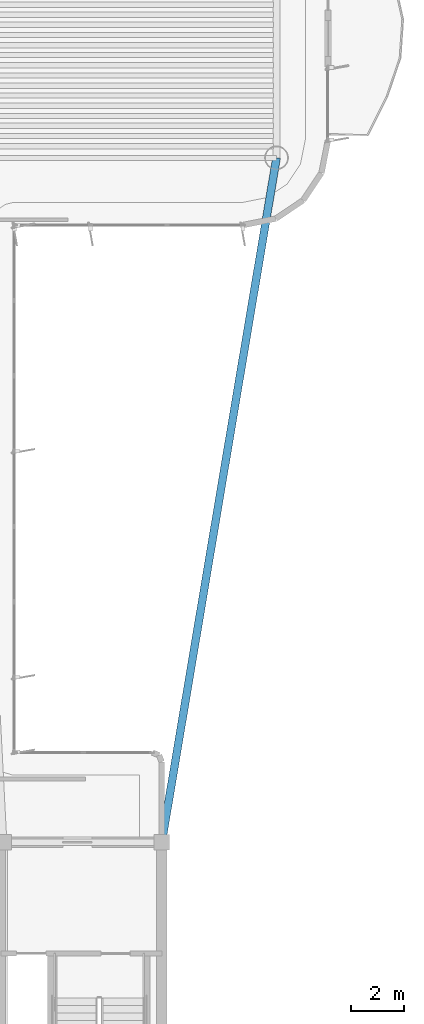
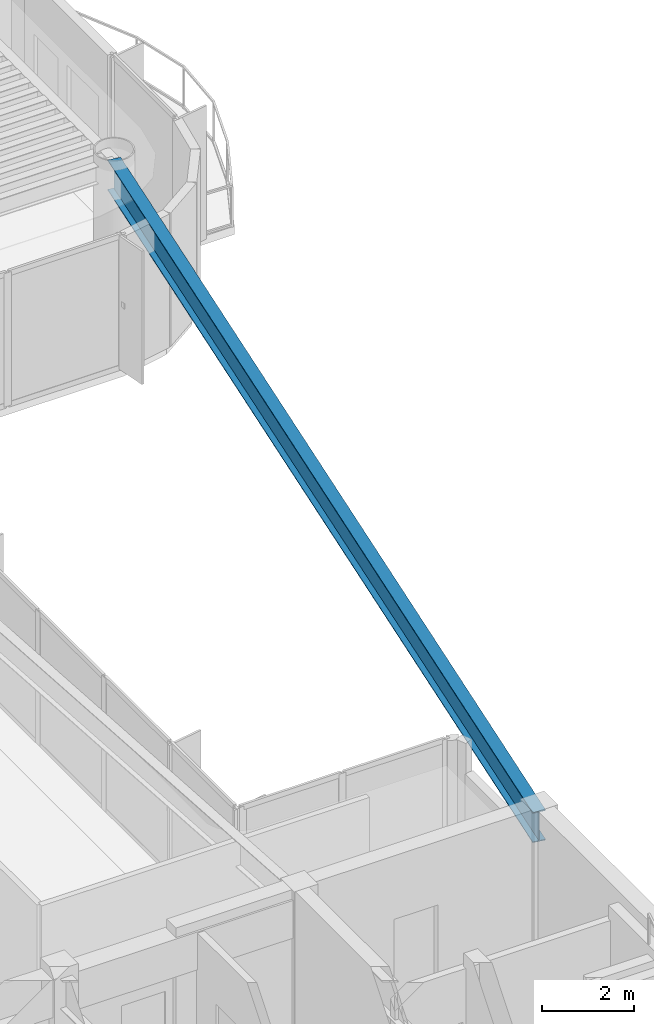
# One storey, part 4 of 15: 1 beam.
"""IFC4 building model written with IfcOpenShell, lengths in metres."""

from ifc_helpers import new_model, si_unit, direction, frame, origin, origin_2d, place, context, subcontext, project, spatial, i_section, extrude, source, transform, mapped, material, material_profile, profile_set, type_object, element, save


model = new_model("IFC4")

# Units and contexts
model_context = context("Model", 3, precision=1e-05, world=origin(), true_north=direction((0.0, 1.0)))
body_context = subcontext(model_context, "Body", "Model", "MODEL_VIEW")
ifc_project = project(units=[si_unit("LENGTHUNIT", "METRE"), si_unit("AREAUNIT", "SQUARE_METRE"), si_unit("VOLUMEUNIT", "CUBIC_METRE"), si_unit("PLANEANGLEUNIT", "RADIAN"), si_unit("MASSUNIT", "GRAM", prefix="KILO")], contexts=[model_context])

# Site, building, storey
site_placement = place(None, origin())
site = spatial("IfcSite", under=ifc_project, at=site_placement, CompositionType="ELEMENT")
building_placement = place(site_placement, origin())
building = spatial("IfcBuilding", under=site, at=building_placement, Name="Brelvock Crest Care Tower", CompositionType="ELEMENT")
storey_placement = place(building_placement, frame((0.0, 0.0, 283.5)))
storey = spatial("IfcBuildingStorey", under=building, at=storey_placement, Name="L72", CompositionType="ELEMENT", Elevation=283.5)

# Beam
ifc_material = material(Name="Steel Grade 350", Category="steel")
ifc_material_profile = material_profile(ifc_material, i_section(OverallWidth=0.300048828125, OverallDepth=0.800048828125, WebThickness=0.013916015625, FlangeThickness=0.02197265625, at=origin_2d()), Name="800WB192")
ifc_profile_set = profile_set([ifc_material_profile], Name="Steel Grade 350")
beam_type = type_object("IfcBeamType", Name="BM-G5", PredefinedType="BEAM", material=ifc_profile_set)
shared_shape = source(origin(), body_context, "Body", "SweptSolid", [
    extrude(i_section(OverallWidth=0.300048828125, OverallDepth=0.800048828125, WebThickness=0.013916015625, FlangeThickness=0.02197265625, at=origin_2d()), origin(), (0.0, 0.0, 1.0), 26.31201171875),
])
beam_placement = place(storey_placement, frame((48.0, 18.0, 3.1298828125), z_axis=(0.165327282709, 0.986238758918, 0.0), x_axis=(-0.986238758918, 0.165327282709, 0.0)))
element("IfcBeam", 1, at=beam_placement, inside=storey, type_object=beam_type, Name="BM-THRO-E-L72", PredefinedType="BEAM", context=body_context, shape_type="MappedRepresentation", body=[
    mapped(shared_shape, transform((0.0, 0.0, 0.0), x_axis=(1.0, 0.0, 0.0), y_axis=(0.0, 1.0, 0.0), z_axis=(0.0, 0.0, 1.0), scale=1.0)),
])

save(model, "model.ifc")
